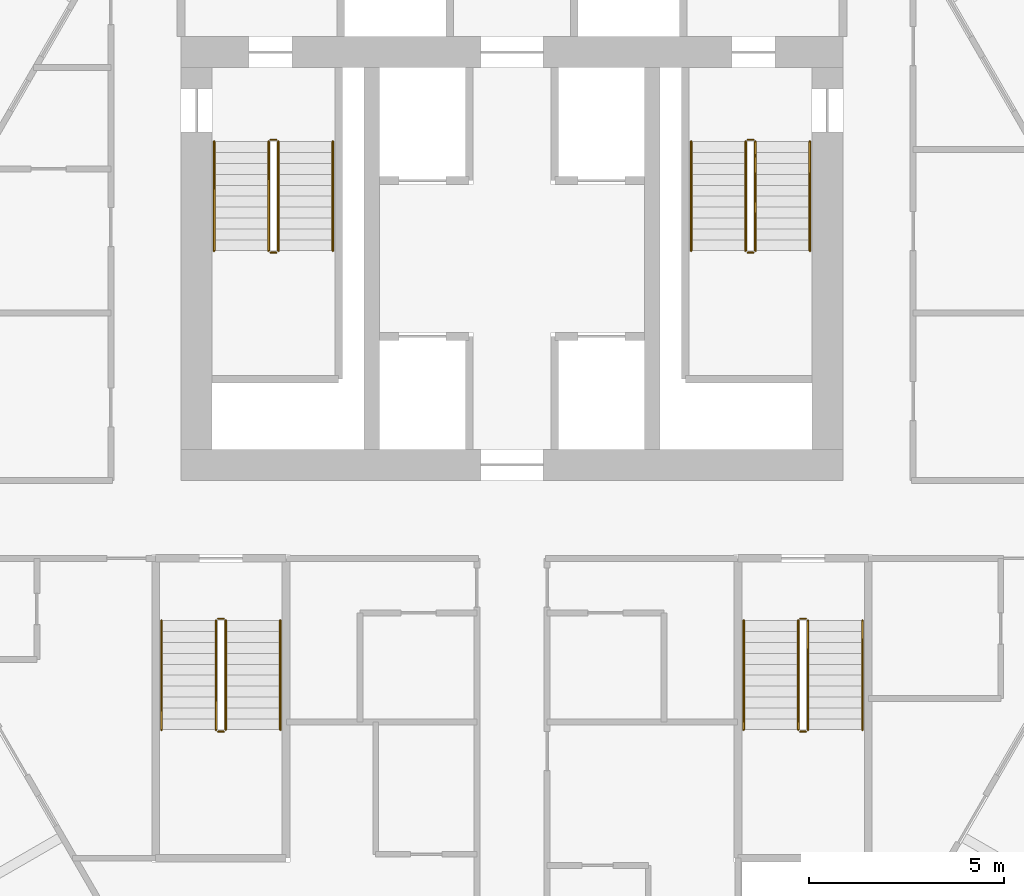
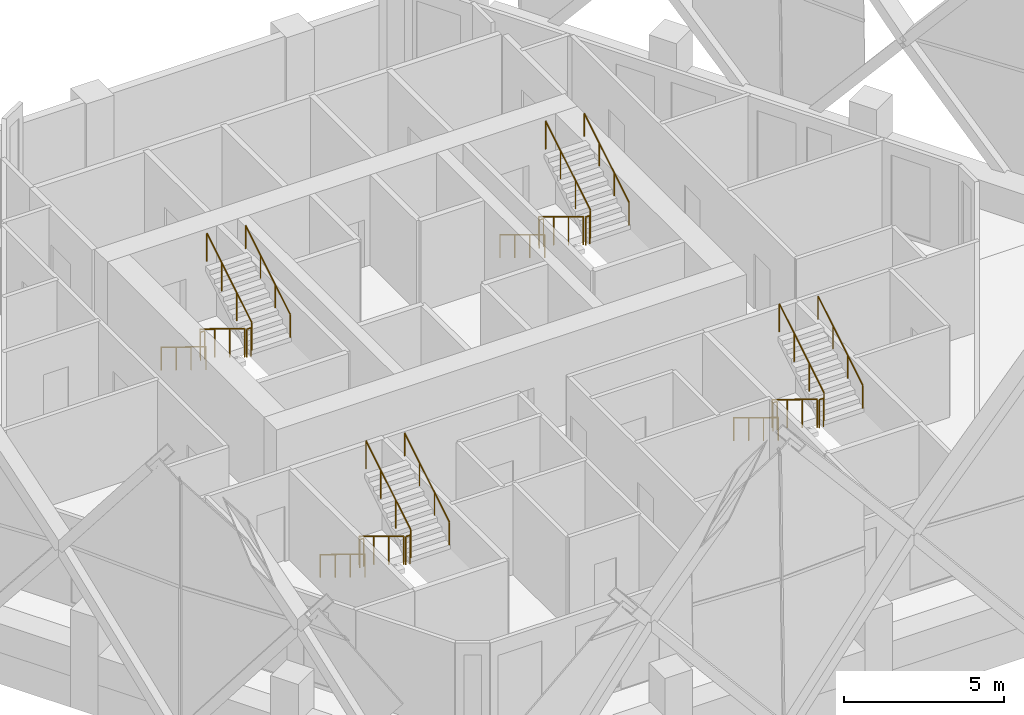
# One storey, part 18 of 18: 24 railings.
"""IFC4 building model written with IfcOpenShell, lengths in metres."""

from ifc_helpers import new_model, si_unit, direction, frame, origin, origin_2d, place, context, subcontext, project, spatial, circle, extrude, material, type_object, element, save


model = new_model("IFC4")

# Units and contexts
model_context = context("Model", 3, precision=1e-05, world=origin(), true_north=direction((0.0, 1.0)))
body_context = subcontext(model_context, "Body", "Model", "MODEL_VIEW")
ifc_project = project(units=[si_unit("LENGTHUNIT", "METRE"), si_unit("AREAUNIT", "SQUARE_METRE"), si_unit("VOLUMEUNIT", "CUBIC_METRE"), si_unit("PLANEANGLEUNIT", "RADIAN"), si_unit("MASSUNIT", "GRAM", prefix="KILO")], contexts=[model_context])

# Site, building, storey
site_placement = place(None, origin())
site = spatial("IfcSite", under=ifc_project, at=site_placement, CompositionType="ELEMENT")
building_placement = place(site_placement, origin())
building = spatial("IfcBuilding", under=site, at=building_placement, Name="Ostrander Bayou Hotel Tower", CompositionType="ELEMENT")
storey_placement = place(building_placement, frame((0.0, 0.0, 175.75)))
storey = spatial("IfcBuildingStorey", under=building, at=storey_placement, Name="L43", CompositionType="ELEMENT", Elevation=175.75)

# Railings
ifc_material_1 = material(Name="Steel ASTM A500 Gr C", Category="steel")
railing_type_1 = type_object("IfcRailingType", Name="GR1 stair guard 1100 mm steel", PredefinedType="GUARDRAIL", material=ifc_material_1)
railing_1_placement = place(storey_placement, frame((-6.25, 7.0, 0.17041015625)))
element("IfcRailing", 1, at=railing_1_placement, inside=storey, type_object=railing_type_1, Name="L43 STA stair guard 1", PredefinedType="GUARDRAIL", context=body_context, shape_type="SweptSolid", body=[
    extrude(circle(Radius=0.02392578125, at=origin_2d()), frame((0.0, 0.0, 1.076171875), z_axis=(0.0, -0.854169791009, 0.51999420009), x_axis=(1.0, 0.0, 0.0)), (0.0, 0.0, 1.0), 3.278076171875),
    extrude(circle(Radius=0.02099609375, at=origin_2d()), origin(), (0.0, 0.0, 1.0), 1.052001953125),
    extrude(circle(Radius=0.02099609375, at=origin_2d()), frame((0.0, -0.933349609375, 0.568115234375)), (0.0, 0.0, 1.0), 1.052001953125),
    extrude(circle(Radius=0.02099609375, at=origin_2d()), frame((0.0, -1.86669921875, 1.136474609375)), (0.0, 0.0, 1.0), 1.052001953125),
    extrude(circle(Radius=0.02099609375, at=origin_2d()), frame((0.0, -2.800048828125, 1.70458984375)), (0.0, 0.0, 1.0), 1.052001953125),
])
railing_2_placement = place(storey_placement, frame((-6.199951171875, 4.14990234375, 1.875)))
element("IfcRailing", 2, at=railing_2_placement, inside=storey, type_object=railing_type_1, Name="L43 STA stair guard 2", PredefinedType="GUARDRAIL", context=body_context, shape_type="SweptSolid", body=[
    extrude(circle(Radius=0.02392578125, at=origin_2d()), frame((0.0, 0.0, 1.076171875), z_axis=(1.0, 0.0, 0.0), x_axis=(0.0, 1.0, 0.0)), (0.0, 0.0, 1.0), 0.14990234375),
    extrude(circle(Radius=0.02099609375, at=origin_2d()), origin(), (0.0, 0.0, 1.0), 1.052001953125),
    extrude(circle(Radius=0.02099609375, at=origin_2d()), frame((0.14990234375, 0.0, 0.0)), (0.0, 0.0, 1.0), 1.052001953125),
])
railing_3_placement = place(storey_placement, frame((-6.0, 4.199951171875, 2.04541015625)))
element("IfcRailing", 3, at=railing_3_placement, inside=storey, type_object=railing_type_1, Name="L43 STA stair guard 3", PredefinedType="GUARDRAIL", context=body_context, shape_type="SweptSolid", body=[
    extrude(circle(Radius=0.02392578125, at=origin_2d()), frame((0.0, 0.0, 1.076171875), z_axis=(0.0, 0.854169791009, 0.51999420009), x_axis=(-1.0, 0.0, 0.0)), (0.0, 0.0, 1.0), 3.278076171875),
    extrude(circle(Radius=0.02099609375, at=origin_2d()), origin(), (0.0, 0.0, 1.0), 1.052001953125),
    extrude(circle(Radius=0.02099609375, at=origin_2d()), frame((0.0, 0.933349609375, 0.568115234375)), (0.0, 0.0, 1.0), 1.052001953125),
    extrude(circle(Radius=0.02099609375, at=origin_2d()), frame((0.0, 1.86669921875, 1.136474609375)), (0.0, 0.0, 1.0), 1.052001953125),
    extrude(circle(Radius=0.02099609375, at=origin_2d()), frame((0.0, 2.800048828125, 1.70458984375)), (0.0, 0.0, 1.0), 1.052001953125),
])
railing_4_placement = place(storey_placement, frame((-6.199951171875, 7.050048828125, 0.0)))
element("IfcRailing", 4, at=railing_4_placement, inside=storey, type_object=railing_type_1, Name="L43 STA stair guard 4", PredefinedType="GUARDRAIL", context=body_context, shape_type="SweptSolid", body=[
    extrude(circle(Radius=0.02392578125, at=origin_2d()), frame((0.0, 0.0, 1.076171875), z_axis=(1.0, 0.0, 0.0), x_axis=(0.0, 1.0, 0.0)), (0.0, 0.0, 1.0), 0.14990234375),
    extrude(circle(Radius=0.02099609375, at=origin_2d()), origin(), (0.0, 0.0, 1.0), 1.052001953125),
    extrude(circle(Radius=0.02099609375, at=origin_2d()), frame((0.14990234375, 0.0, 0.0)), (0.0, 0.0, 1.0), 1.052001953125),
])
railing_5_placement = place(storey_placement, frame((6.0, 7.0, 0.17041015625)))
element("IfcRailing", 5, at=railing_5_placement, inside=storey, type_object=railing_type_1, Name="L43 STB stair guard 1", PredefinedType="GUARDRAIL", context=body_context, shape_type="SweptSolid", body=[
    extrude(circle(Radius=0.02392578125, at=origin_2d()), frame((0.0, 0.0, 1.076171875), z_axis=(0.0, -0.854169791009, 0.51999420009), x_axis=(1.0, 0.0, 0.0)), (0.0, 0.0, 1.0), 3.278076171875),
    extrude(circle(Radius=0.02099609375, at=origin_2d()), origin(), (0.0, 0.0, 1.0), 1.052001953125),
    extrude(circle(Radius=0.02099609375, at=origin_2d()), frame((0.0, -0.933349609375, 0.568115234375)), (0.0, 0.0, 1.0), 1.052001953125),
    extrude(circle(Radius=0.02099609375, at=origin_2d()), frame((0.0, -1.86669921875, 1.136474609375)), (0.0, 0.0, 1.0), 1.052001953125),
    extrude(circle(Radius=0.02099609375, at=origin_2d()), frame((0.0, -2.800048828125, 1.70458984375)), (0.0, 0.0, 1.0), 1.052001953125),
])
railing_6_placement = place(storey_placement, frame((6.050048828125, 4.14990234375, 1.875)))
element("IfcRailing", 6, at=railing_6_placement, inside=storey, type_object=railing_type_1, Name="L43 STB stair guard 2", PredefinedType="GUARDRAIL", context=body_context, shape_type="SweptSolid", body=[
    extrude(circle(Radius=0.02392578125, at=origin_2d()), frame((0.0, 0.0, 1.076171875), z_axis=(1.0, 0.0, 0.0), x_axis=(0.0, 1.0, 0.0)), (0.0, 0.0, 1.0), 0.14990234375),
    extrude(circle(Radius=0.02099609375, at=origin_2d()), origin(), (0.0, 0.0, 1.0), 1.052001953125),
    extrude(circle(Radius=0.02099609375, at=origin_2d()), frame((0.14990234375, 0.0, 0.0)), (0.0, 0.0, 1.0), 1.052001953125),
])
railing_7_placement = place(storey_placement, frame((6.25, 4.199951171875, 2.04541015625)))
element("IfcRailing", 7, at=railing_7_placement, inside=storey, type_object=railing_type_1, Name="L43 STB stair guard 3", PredefinedType="GUARDRAIL", context=body_context, shape_type="SweptSolid", body=[
    extrude(circle(Radius=0.02392578125, at=origin_2d()), frame((0.0, 0.0, 1.076171875), z_axis=(0.0, 0.854169791009, 0.51999420009), x_axis=(-1.0, 0.0, 0.0)), (0.0, 0.0, 1.0), 3.278076171875),
    extrude(circle(Radius=0.02099609375, at=origin_2d()), origin(), (0.0, 0.0, 1.0), 1.052001953125),
    extrude(circle(Radius=0.02099609375, at=origin_2d()), frame((0.0, 0.933349609375, 0.568115234375)), (0.0, 0.0, 1.0), 1.052001953125),
    extrude(circle(Radius=0.02099609375, at=origin_2d()), frame((0.0, 1.86669921875, 1.136474609375)), (0.0, 0.0, 1.0), 1.052001953125),
    extrude(circle(Radius=0.02099609375, at=origin_2d()), frame((0.0, 2.800048828125, 1.70458984375)), (0.0, 0.0, 1.0), 1.052001953125),
])
railing_8_placement = place(storey_placement, frame((6.050048828125, 7.050048828125, 0.0)))
element("IfcRailing", 8, at=railing_8_placement, inside=storey, type_object=railing_type_1, Name="L43 STB stair guard 4", PredefinedType="GUARDRAIL", context=body_context, shape_type="SweptSolid", body=[
    extrude(circle(Radius=0.02392578125, at=origin_2d()), frame((0.0, 0.0, 1.076171875), z_axis=(1.0, 0.0, 0.0), x_axis=(0.0, 1.0, 0.0)), (0.0, 0.0, 1.0), 0.14990234375),
    extrude(circle(Radius=0.02099609375, at=origin_2d()), origin(), (0.0, 0.0, 1.0), 1.052001953125),
    extrude(circle(Radius=0.02099609375, at=origin_2d()), frame((0.14990234375, 0.0, 0.0)), (0.0, 0.0, 1.0), 1.052001953125),
])
railing_9_placement = place(storey_placement, frame((7.35009765625, -5.300048828125, 0.17041015625)))
element("IfcRailing", 9, at=railing_9_placement, inside=storey, type_object=railing_type_1, Name="L43 STC stair guard 1", PredefinedType="GUARDRAIL", context=body_context, shape_type="SweptSolid", body=[
    extrude(circle(Radius=0.02392578125, at=origin_2d()), frame((0.0, 0.0, 1.076171875), z_axis=(0.0, -0.854169791009, 0.51999420009), x_axis=(1.0, 0.0, 0.0)), (0.0, 0.0, 1.0), 3.278076171875),
    extrude(circle(Radius=0.02099609375, at=origin_2d()), origin(), (0.0, 0.0, 1.0), 1.052001953125),
    extrude(circle(Radius=0.02099609375, at=origin_2d()), frame((0.0, -0.933349609375, 0.568115234375)), (0.0, 0.0, 1.0), 1.052001953125),
    extrude(circle(Radius=0.02099609375, at=origin_2d()), frame((0.0, -1.86669921875, 1.136474609375)), (0.0, 0.0, 1.0), 1.052001953125),
    extrude(circle(Radius=0.02099609375, at=origin_2d()), frame((0.0, -2.800048828125, 1.70458984375)), (0.0, 0.0, 1.0), 1.052001953125),
])
railing_10_placement = place(storey_placement, frame((7.39990234375, -8.14990234375, 1.875)))
element("IfcRailing", 10, at=railing_10_placement, inside=storey, type_object=railing_type_1, Name="L43 STC stair guard 2", PredefinedType="GUARDRAIL", context=body_context, shape_type="SweptSolid", body=[
    extrude(circle(Radius=0.02392578125, at=origin_2d()), frame((0.0, 0.0, 1.076171875), z_axis=(1.0, 0.0, 0.0), x_axis=(0.0, 1.0, 0.0)), (0.0, 0.0, 1.0), 0.150146484375),
    extrude(circle(Radius=0.02099609375, at=origin_2d()), origin(), (0.0, 0.0, 1.0), 1.052001953125),
    extrude(circle(Radius=0.02099609375, at=origin_2d()), frame((0.150146484375, 0.0, 0.0)), (0.0, 0.0, 1.0), 1.052001953125),
])
railing_11_placement = place(storey_placement, frame((7.60009765625, -8.10009765625, 2.04541015625)))
element("IfcRailing", 11, at=railing_11_placement, inside=storey, type_object=railing_type_1, Name="L43 STC stair guard 3", PredefinedType="GUARDRAIL", context=body_context, shape_type="SweptSolid", body=[
    extrude(circle(Radius=0.02392578125, at=origin_2d()), frame((0.0, 0.0, 1.076171875), z_axis=(0.0, 0.854169791009, 0.51999420009), x_axis=(-1.0, 0.0, 0.0)), (0.0, 0.0, 1.0), 3.278076171875),
    extrude(circle(Radius=0.02099609375, at=origin_2d()), origin(), (0.0, 0.0, 1.0), 1.052001953125),
    extrude(circle(Radius=0.02099609375, at=origin_2d()), frame((0.0, 0.933349609375, 0.568115234375)), (0.0, 0.0, 1.0), 1.052001953125),
    extrude(circle(Radius=0.02099609375, at=origin_2d()), frame((0.0, 1.86669921875, 1.136474609375)), (0.0, 0.0, 1.0), 1.052001953125),
    extrude(circle(Radius=0.02099609375, at=origin_2d()), frame((0.0, 2.800048828125, 1.70458984375)), (0.0, 0.0, 1.0), 1.052001953125),
])
railing_12_placement = place(storey_placement, frame((7.39990234375, -5.25, 0.0)))
element("IfcRailing", 12, at=railing_12_placement, inside=storey, type_object=railing_type_1, Name="L43 STC stair guard 4", PredefinedType="GUARDRAIL", context=body_context, shape_type="SweptSolid", body=[
    extrude(circle(Radius=0.02392578125, at=origin_2d()), frame((0.0, 0.0, 1.076171875), z_axis=(1.0, 0.0, 0.0), x_axis=(0.0, 1.0, 0.0)), (0.0, 0.0, 1.0), 0.150146484375),
    extrude(circle(Radius=0.02099609375, at=origin_2d()), origin(), (0.0, 0.0, 1.0), 1.052001953125),
    extrude(circle(Radius=0.02099609375, at=origin_2d()), frame((0.150146484375, 0.0, 0.0)), (0.0, 0.0, 1.0), 1.052001953125),
])
railing_13_placement = place(storey_placement, frame((-7.60009765625, -5.300048828125, 0.17041015625)))
element("IfcRailing", 13, at=railing_13_placement, inside=storey, type_object=railing_type_1, Name="L43 STD stair guard 1", PredefinedType="GUARDRAIL", context=body_context, shape_type="SweptSolid", body=[
    extrude(circle(Radius=0.02392578125, at=origin_2d()), frame((0.0, 0.0, 1.076171875), z_axis=(0.0, -0.854169791009, 0.51999420009), x_axis=(1.0, 0.0, 0.0)), (0.0, 0.0, 1.0), 3.278076171875),
    extrude(circle(Radius=0.02099609375, at=origin_2d()), origin(), (0.0, 0.0, 1.0), 1.052001953125),
    extrude(circle(Radius=0.02099609375, at=origin_2d()), frame((0.0, -0.933349609375, 0.568115234375)), (0.0, 0.0, 1.0), 1.052001953125),
    extrude(circle(Radius=0.02099609375, at=origin_2d()), frame((0.0, -1.86669921875, 1.136474609375)), (0.0, 0.0, 1.0), 1.052001953125),
    extrude(circle(Radius=0.02099609375, at=origin_2d()), frame((0.0, -2.800048828125, 1.70458984375)), (0.0, 0.0, 1.0), 1.052001953125),
])
railing_14_placement = place(storey_placement, frame((-7.550048828125, -8.14990234375, 1.875)))
element("IfcRailing", 14, at=railing_14_placement, inside=storey, type_object=railing_type_1, Name="L43 STD stair guard 2", PredefinedType="GUARDRAIL", context=body_context, shape_type="SweptSolid", body=[
    extrude(circle(Radius=0.02392578125, at=origin_2d()), frame((0.0, 0.0, 1.076171875), z_axis=(1.0, 0.0, 0.0), x_axis=(0.0, 1.0, 0.0)), (0.0, 0.0, 1.0), 0.150146484375),
    extrude(circle(Radius=0.02099609375, at=origin_2d()), origin(), (0.0, 0.0, 1.0), 1.052001953125),
    extrude(circle(Radius=0.02099609375, at=origin_2d()), frame((0.150146484375, 0.0, 0.0)), (0.0, 0.0, 1.0), 1.052001953125),
])
railing_15_placement = place(storey_placement, frame((-7.35009765625, -8.10009765625, 2.04541015625)))
element("IfcRailing", 15, at=railing_15_placement, inside=storey, type_object=railing_type_1, Name="L43 STD stair guard 3", PredefinedType="GUARDRAIL", context=body_context, shape_type="SweptSolid", body=[
    extrude(circle(Radius=0.02392578125, at=origin_2d()), frame((0.0, 0.0, 1.076171875), z_axis=(0.0, 0.854169791009, 0.51999420009), x_axis=(-1.0, 0.0, 0.0)), (0.0, 0.0, 1.0), 3.278076171875),
    extrude(circle(Radius=0.02099609375, at=origin_2d()), origin(), (0.0, 0.0, 1.0), 1.052001953125),
    extrude(circle(Radius=0.02099609375, at=origin_2d()), frame((0.0, 0.933349609375, 0.568115234375)), (0.0, 0.0, 1.0), 1.052001953125),
    extrude(circle(Radius=0.02099609375, at=origin_2d()), frame((0.0, 1.86669921875, 1.136474609375)), (0.0, 0.0, 1.0), 1.052001953125),
    extrude(circle(Radius=0.02099609375, at=origin_2d()), frame((0.0, 2.800048828125, 1.70458984375)), (0.0, 0.0, 1.0), 1.052001953125),
])
railing_16_placement = place(storey_placement, frame((-7.550048828125, -5.25, 0.0)))
element("IfcRailing", 16, at=railing_16_placement, inside=storey, type_object=railing_type_1, Name="L43 STD stair guard 4", PredefinedType="GUARDRAIL", context=body_context, shape_type="SweptSolid", body=[
    extrude(circle(Radius=0.02392578125, at=origin_2d()), frame((0.0, 0.0, 1.076171875), z_axis=(1.0, 0.0, 0.0), x_axis=(0.0, 1.0, 0.0)), (0.0, 0.0, 1.0), 0.150146484375),
    extrude(circle(Radius=0.02099609375, at=origin_2d()), origin(), (0.0, 0.0, 1.0), 1.052001953125),
    extrude(circle(Radius=0.02099609375, at=origin_2d()), frame((0.150146484375, 0.0, 0.0)), (0.0, 0.0, 1.0), 1.052001953125),
])
ifc_material_2 = material(Name="Steel ASTM A500 Gr C", Category="steel")
railing_type_2 = type_object("IfcRailingType", Name="HR1 stair handrail 900 mm steel", PredefinedType="HANDRAIL", material=ifc_material_2)
railing_17_placement = place(storey_placement, frame((-7.64990234375, 7.0, 0.17041015625)))
element("IfcRailing", 17, at=railing_17_placement, inside=storey, type_object=railing_type_2, Name="L43 STA stair handrail 1", PredefinedType="HANDRAIL", context=body_context, shape_type="SweptSolid", body=[
    extrude(circle(Radius=0.02392578125, at=origin_2d()), frame((0.0, 0.0, 0.8759765625), z_axis=(0.0, -0.854169791009, 0.51999420009), x_axis=(1.0, 0.0, 0.0)), (0.0, 0.0, 1.0), 3.278076171875),
    extrude(circle(Radius=0.02099609375, at=origin_2d()), origin(), (0.0, 0.0, 1.0), 0.851806640625),
    extrude(circle(Radius=0.02099609375, at=origin_2d()), frame((0.0, -0.933349609375, 0.568115234375)), (0.0, 0.0, 1.0), 0.851806640625),
    extrude(circle(Radius=0.02099609375, at=origin_2d()), frame((0.0, -1.86669921875, 1.136474609375)), (0.0, 0.0, 1.0), 0.851806640625),
    extrude(circle(Radius=0.02099609375, at=origin_2d()), frame((0.0, -2.800048828125, 1.70458984375)), (0.0, 0.0, 1.0), 0.851806640625),
])
railing_18_placement = place(storey_placement, frame((-4.60009765625, 4.199951171875, 2.04541015625)))
element("IfcRailing", 18, at=railing_18_placement, inside=storey, type_object=railing_type_2, Name="L43 STA stair handrail 2", PredefinedType="HANDRAIL", context=body_context, shape_type="SweptSolid", body=[
    extrude(circle(Radius=0.02392578125, at=origin_2d()), frame((0.0, 0.0, 0.8759765625), z_axis=(0.0, 0.854169791009, 0.51999420009), x_axis=(-1.0, 0.0, 0.0)), (0.0, 0.0, 1.0), 3.278076171875),
    extrude(circle(Radius=0.02099609375, at=origin_2d()), origin(), (0.0, 0.0, 1.0), 0.851806640625),
    extrude(circle(Radius=0.02099609375, at=origin_2d()), frame((0.0, 0.933349609375, 0.568115234375)), (0.0, 0.0, 1.0), 0.851806640625),
    extrude(circle(Radius=0.02099609375, at=origin_2d()), frame((0.0, 1.86669921875, 1.136474609375)), (0.0, 0.0, 1.0), 0.851806640625),
    extrude(circle(Radius=0.02099609375, at=origin_2d()), frame((0.0, 2.800048828125, 1.70458984375)), (0.0, 0.0, 1.0), 0.851806640625),
])
railing_19_placement = place(storey_placement, frame((4.60009765625, 7.0, 0.17041015625)))
element("IfcRailing", 19, at=railing_19_placement, inside=storey, type_object=railing_type_2, Name="L43 STB stair handrail 1", PredefinedType="HANDRAIL", context=body_context, shape_type="SweptSolid", body=[
    extrude(circle(Radius=0.02392578125, at=origin_2d()), frame((0.0, 0.0, 0.8759765625), z_axis=(0.0, -0.854169791009, 0.51999420009), x_axis=(1.0, 0.0, 0.0)), (0.0, 0.0, 1.0), 3.278076171875),
    extrude(circle(Radius=0.02099609375, at=origin_2d()), origin(), (0.0, 0.0, 1.0), 0.851806640625),
    extrude(circle(Radius=0.02099609375, at=origin_2d()), frame((0.0, -0.933349609375, 0.568115234375)), (0.0, 0.0, 1.0), 0.851806640625),
    extrude(circle(Radius=0.02099609375, at=origin_2d()), frame((0.0, -1.86669921875, 1.136474609375)), (0.0, 0.0, 1.0), 0.851806640625),
    extrude(circle(Radius=0.02099609375, at=origin_2d()), frame((0.0, -2.800048828125, 1.70458984375)), (0.0, 0.0, 1.0), 0.851806640625),
])
railing_20_placement = place(storey_placement, frame((7.64990234375, 4.199951171875, 2.04541015625)))
element("IfcRailing", 20, at=railing_20_placement, inside=storey, type_object=railing_type_2, Name="L43 STB stair handrail 2", PredefinedType="HANDRAIL", context=body_context, shape_type="SweptSolid", body=[
    extrude(circle(Radius=0.02392578125, at=origin_2d()), frame((0.0, 0.0, 0.8759765625), z_axis=(0.0, 0.854169791009, 0.51999420009), x_axis=(-1.0, 0.0, 0.0)), (0.0, 0.0, 1.0), 3.278076171875),
    extrude(circle(Radius=0.02099609375, at=origin_2d()), origin(), (0.0, 0.0, 1.0), 0.851806640625),
    extrude(circle(Radius=0.02099609375, at=origin_2d()), frame((0.0, 0.933349609375, 0.568115234375)), (0.0, 0.0, 1.0), 0.851806640625),
    extrude(circle(Radius=0.02099609375, at=origin_2d()), frame((0.0, 1.86669921875, 1.136474609375)), (0.0, 0.0, 1.0), 0.851806640625),
    extrude(circle(Radius=0.02099609375, at=origin_2d()), frame((0.0, 2.800048828125, 1.70458984375)), (0.0, 0.0, 1.0), 0.851806640625),
])
railing_21_placement = place(storey_placement, frame((5.949951171875, -5.300048828125, 0.17041015625)))
element("IfcRailing", 21, at=railing_21_placement, inside=storey, type_object=railing_type_2, Name="L43 STC stair handrail 1", PredefinedType="HANDRAIL", context=body_context, shape_type="SweptSolid", body=[
    extrude(circle(Radius=0.02392578125, at=origin_2d()), frame((0.0, 0.0, 0.8759765625), z_axis=(0.0, -0.854169791009, 0.51999420009), x_axis=(1.0, 0.0, 0.0)), (0.0, 0.0, 1.0), 3.278076171875),
    extrude(circle(Radius=0.02099609375, at=origin_2d()), origin(), (0.0, 0.0, 1.0), 0.851806640625),
    extrude(circle(Radius=0.02099609375, at=origin_2d()), frame((0.0, -0.933349609375, 0.568115234375)), (0.0, 0.0, 1.0), 0.851806640625),
    extrude(circle(Radius=0.02099609375, at=origin_2d()), frame((0.0, -1.86669921875, 1.136474609375)), (0.0, 0.0, 1.0), 0.851806640625),
    extrude(circle(Radius=0.02099609375, at=origin_2d()), frame((0.0, -2.800048828125, 1.70458984375)), (0.0, 0.0, 1.0), 0.851806640625),
])
railing_22_placement = place(storey_placement, frame((9.0, -8.10009765625, 2.04541015625)))
element("IfcRailing", 22, at=railing_22_placement, inside=storey, type_object=railing_type_2, Name="L43 STC stair handrail 2", PredefinedType="HANDRAIL", context=body_context, shape_type="SweptSolid", body=[
    extrude(circle(Radius=0.02392578125, at=origin_2d()), frame((0.0, 0.0, 0.8759765625), z_axis=(0.0, 0.854169791009, 0.51999420009), x_axis=(-1.0, 0.0, 0.0)), (0.0, 0.0, 1.0), 3.278076171875),
    extrude(circle(Radius=0.02099609375, at=origin_2d()), origin(), (0.0, 0.0, 1.0), 0.851806640625),
    extrude(circle(Radius=0.02099609375, at=origin_2d()), frame((0.0, 0.933349609375, 0.568115234375)), (0.0, 0.0, 1.0), 0.851806640625),
    extrude(circle(Radius=0.02099609375, at=origin_2d()), frame((0.0, 1.86669921875, 1.136474609375)), (0.0, 0.0, 1.0), 0.851806640625),
    extrude(circle(Radius=0.02099609375, at=origin_2d()), frame((0.0, 2.800048828125, 1.70458984375)), (0.0, 0.0, 1.0), 0.851806640625),
])
railing_23_placement = place(storey_placement, frame((-9.0, -5.300048828125, 0.17041015625)))
element("IfcRailing", 23, at=railing_23_placement, inside=storey, type_object=railing_type_2, Name="L43 STD stair handrail 1", PredefinedType="HANDRAIL", context=body_context, shape_type="SweptSolid", body=[
    extrude(circle(Radius=0.02392578125, at=origin_2d()), frame((0.0, 0.0, 0.8759765625), z_axis=(0.0, -0.854169791009, 0.51999420009), x_axis=(1.0, 0.0, 0.0)), (0.0, 0.0, 1.0), 3.278076171875),
    extrude(circle(Radius=0.02099609375, at=origin_2d()), origin(), (0.0, 0.0, 1.0), 0.851806640625),
    extrude(circle(Radius=0.02099609375, at=origin_2d()), frame((0.0, -0.933349609375, 0.568115234375)), (0.0, 0.0, 1.0), 0.851806640625),
    extrude(circle(Radius=0.02099609375, at=origin_2d()), frame((0.0, -1.86669921875, 1.136474609375)), (0.0, 0.0, 1.0), 0.851806640625),
    extrude(circle(Radius=0.02099609375, at=origin_2d()), frame((0.0, -2.800048828125, 1.70458984375)), (0.0, 0.0, 1.0), 0.851806640625),
])
railing_24_placement = place(storey_placement, frame((-5.949951171875, -8.10009765625, 2.04541015625)))
element("IfcRailing", 24, at=railing_24_placement, inside=storey, type_object=railing_type_2, Name="L43 STD stair handrail 2", PredefinedType="HANDRAIL", context=body_context, shape_type="SweptSolid", body=[
    extrude(circle(Radius=0.02392578125, at=origin_2d()), frame((0.0, 0.0, 0.8759765625), z_axis=(0.0, 0.854169791009, 0.51999420009), x_axis=(-1.0, 0.0, 0.0)), (0.0, 0.0, 1.0), 3.278076171875),
    extrude(circle(Radius=0.02099609375, at=origin_2d()), origin(), (0.0, 0.0, 1.0), 0.851806640625),
    extrude(circle(Radius=0.02099609375, at=origin_2d()), frame((0.0, 0.933349609375, 0.568115234375)), (0.0, 0.0, 1.0), 0.851806640625),
    extrude(circle(Radius=0.02099609375, at=origin_2d()), frame((0.0, 1.86669921875, 1.136474609375)), (0.0, 0.0, 1.0), 0.851806640625),
    extrude(circle(Radius=0.02099609375, at=origin_2d()), frame((0.0, 2.800048828125, 1.70458984375)), (0.0, 0.0, 1.0), 0.851806640625),
])

save(model, "model.ifc")
